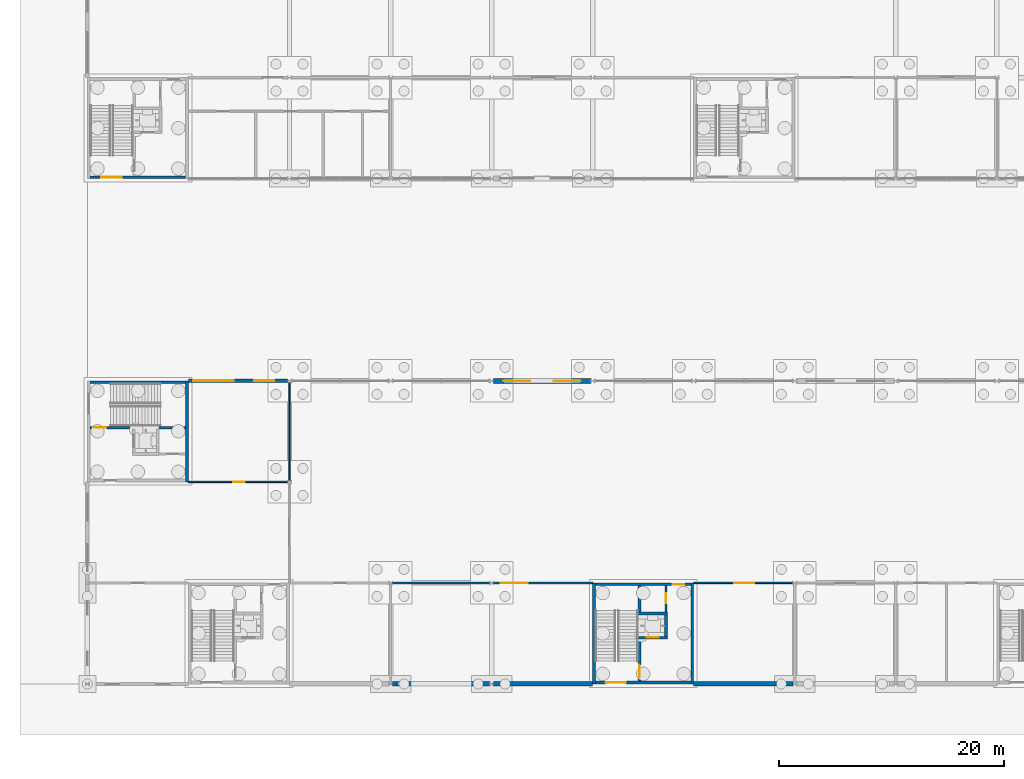
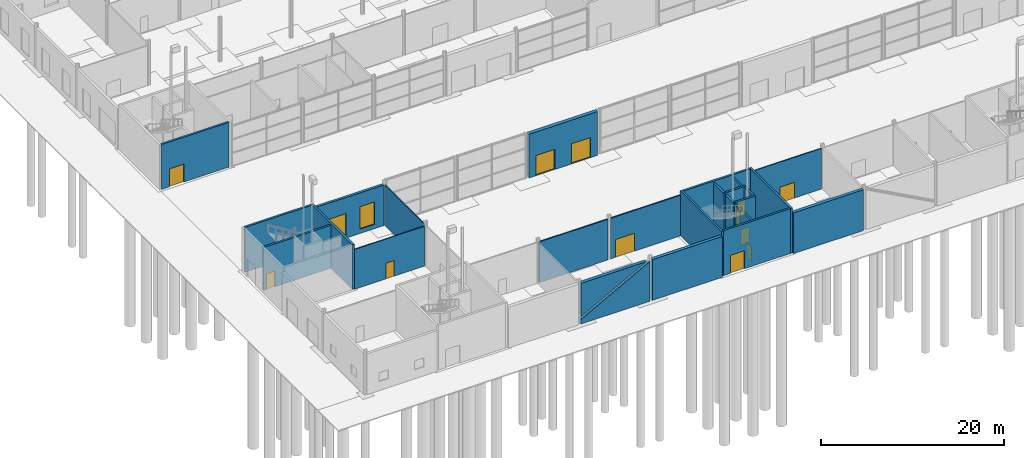
# One storey, part 61 of 97: 24 walls, 12 doors, 2 windows, 14 openings.
"""IFC4 building model written with IfcOpenShell, lengths in metres."""

from ifc_helpers import new_model, si_unit, direction, frame, frame_2d, origin, place, context, subcontext, project, spatial, polyline, rectangle, outline, extrude, material, layer, layer_set, type_object, element, fill, save


model = new_model("IFC4")

# Units and contexts
model_context = context("Model", 3, precision=1e-05, world=origin(), true_north=direction((0.0, 1.0)))
body_context = subcontext(model_context, "Body", "Model", "MODEL_VIEW")
ifc_project = project(units=[si_unit("LENGTHUNIT", "METRE"), si_unit("AREAUNIT", "SQUARE_METRE"), si_unit("VOLUMEUNIT", "CUBIC_METRE"), si_unit("PLANEANGLEUNIT", "RADIAN"), si_unit("MASSUNIT", "GRAM", prefix="KILO")], contexts=[model_context])

# Site, building, storey
site_placement = place(None, origin())
site = spatial("IfcSite", under=ifc_project, at=site_placement, CompositionType="ELEMENT")
building_placement = place(site_placement, origin())
building = spatial("IfcBuilding", under=site, at=building_placement, Name="Corbel Yard City Hall", CompositionType="ELEMENT")
storey_placement = place(building_placement, origin())
storey = spatial("IfcBuildingStorey", under=building, at=storey_placement, Name="L00", CompositionType="ELEMENT", Elevation=0.0)

# Walls
ifc_material_1 = material(Name="Concrete N50 (50 MPa)", Category="concrete")
ifc_layer_1 = layer(ifc_material_1, 0.25)
ifc_layer_set_1 = layer_set([ifc_layer_1], Name="Concrete N50 (50 MPa)")
wall_type_1 = type_object("IfcWallType", Name="Core cell wall 250", PredefinedType="SHEAR", material=ifc_layer_set_1)
for number, where, z_axis, x_axis, name in (
    (1, (45.125, 0.0, 0.0), (0.0, 0.0, 1.0), (0.0, 1.0, 0.0), "Core PC-S1 west wall"),
    (2, (53.875, 0.0, 0.0), (0.0, 0.0, 1.0), (0.0, 1.0, 0.0), "Core PC-S1 east wall"),
):
    element("IfcWall", number, at=place(storey_placement, frame(where, z_axis=z_axis, x_axis=x_axis)), inside=storey, type_object=wall_type_1, Name=name, PredefinedType="SHEAR", context=body_context, shape_type="SweptSolid", body=[
        extrude(rectangle(XDim=9.0, YDim=0.25, at=frame_2d((4.5, 0.0))), origin(), (0.0, 0.0, 1.0), 6.0),
    ])

# Wall, opening, door
wall_1_placement = place(storey_placement, frame((45.25, 0.125, 0.0), z_axis=(0.0, 0.0, 1.0), x_axis=(1.0, 0.0, 0.0)))
wall_1 = element("IfcWall", 3, at=wall_1_placement, inside=storey, type_object=wall_type_1, Name="Core PC-S1 south wall", PredefinedType="SHEAR", context=body_context, shape_type="SweptSolid", body=[
    extrude(rectangle(XDim=8.5, YDim=0.25, at=frame_2d((4.25, 0.0))), origin(), (0.0, 0.0, 1.0), 6.0),
])
opening_1_placement = place(wall_1_placement, frame((0.89990234375, 0.0, 0.0)))
opening_1 = element("IfcOpeningElement", 4, at=opening_1_placement, cuts=wall_1, Name="Opening L00-031", PredefinedType="OPENING", context=body_context, shape_type="SweptSolid", body=[
    extrude(rectangle(XDim=1.800048828125, YDim=2.39990234375, at=frame_2d((0.89990234375, 1.199951171875))), frame((0.0, 0.135009765625, 0.0), z_axis=(0.0, -1.0, 0.0), x_axis=(1.0, 0.0, 0.0)), (0.0, 0.0, 1.0), 0.27001953125),
])
ifc_material_2 = material(Name="Steel Grade G250, insulated infill", Category="steel")
door_type_1 = type_object("IfcDoorType", Name="XD2", OperationType="DOUBLE_DOOR_SINGLE_SWING", PredefinedType="DOOR", material=ifc_material_2)
door_1_placement = place(opening_1_placement, frame((1.800048828125, 0.0, 0.0), z_axis=(0.0, 0.0, 1.0), x_axis=(-1.0, 0.0, 0.0)))
door_1 = element("IfcDoor", 5, at=door_1_placement, inside=storey, type_object=door_type_1, Name="Stair exit door PC-S1", OperationType="DOUBLE_DOOR_SINGLE_SWING", OverallHeight=2.39990234375, OverallWidth=1.800048828125, PredefinedType="DOOR", context=body_context, shape_type="SweptSolid", body=[
    extrude(rectangle(XDim=1.800048828125, YDim=2.39990234375, at=frame_2d((0.89990234375, 1.199951171875))), frame((0.0, 0.02490234375, 0.0), z_axis=(0.0, -1.0, 0.0), x_axis=(1.0, 0.0, 0.0)), (0.0, 0.0, 1.0), 0.050048828125),
])
fill(opening_1, door_1)

wall_2_placement = place(storey_placement, frame((45.25, 8.875, 0.0), z_axis=(0.0, 0.0, 1.0), x_axis=(1.0, 0.0, 0.0)))
wall_2 = element("IfcWall", 6, at=wall_2_placement, inside=storey, type_object=wall_type_1, Name="Core PC-S1 north wall", PredefinedType="SHEAR", context=body_context, shape_type="SweptSolid", body=[
    extrude(rectangle(XDim=8.5, YDim=0.25, at=frame_2d((4.25, 0.0))), origin(), (0.0, 0.0, 1.0), 6.0),
])
opening_2_placement = place(wall_2_placement, frame((6.887451171875, 0.0, 0.0)))
opening_2 = element("IfcOpeningElement", 7, at=opening_2_placement, cuts=wall_2, Name="Opening L00-074", PredefinedType="OPENING", context=body_context, shape_type="SweptSolid", body=[
    extrude(rectangle(XDim=1.0, YDim=2.10009765625, at=frame_2d((0.5, 1.050048828125))), frame((0.0, 0.135009765625, 0.0), z_axis=(0.0, -1.0, 0.0), x_axis=(1.0, 0.0, 0.0)), (0.0, 0.0, 1.0), 0.27001953125),
])
ifc_material_3 = material(Name="Steel Grade G250", Category="steel")
door_type_2 = type_object("IfcDoorType", Name="FS1", OperationType="SINGLE_SWING_LEFT", PredefinedType="DOOR", material=ifc_material_3)
door_2_placement = place(opening_2_placement, frame((1.0, 0.0, 0.0), z_axis=(0.0, 0.0, 1.0), x_axis=(-1.0, 0.0, 0.0)))
door_2 = element("IfcDoor", 8, at=door_2_placement, inside=storey, type_object=door_type_2, Name="Door Lift Lobby", OperationType="SINGLE_SWING_RIGHT", OverallHeight=2.10009765625, OverallWidth=1.0, PredefinedType="DOOR", context=body_context, shape_type="SweptSolid", body=[
    extrude(rectangle(XDim=1.0, YDim=2.10009765625, at=frame_2d((0.5, 1.050048828125))), frame((0.0, 0.02490234375, 0.0), z_axis=(0.0, -1.0, 0.0), x_axis=(1.0, 0.0, 0.0)), (0.0, 0.0, 1.0), 0.050048828125),
])
fill(opening_2, door_2)

# Walls
wall_3_placement = place(storey_placement, frame((8.875, 18.0, 0.0), z_axis=(0.0, 0.0, 1.0), x_axis=(0.0, 1.0, 0.0)))
element("IfcWall", 9, at=wall_3_placement, inside=storey, type_object=wall_type_1, Name="Core PC-S5 east wall", PredefinedType="SHEAR", context=body_context, shape_type="SweptSolid", body=[
    extrude(rectangle(XDim=9.0, YDim=0.25, at=frame_2d((4.5, 0.0))), origin(), (0.0, 0.0, 1.0), 6.0),
])
wall_4_placement = place(storey_placement, frame((0.25, 26.875, 0.0), z_axis=(0.0, 0.0, 1.0), x_axis=(1.0, 0.0, 0.0)))
element("IfcWall", 10, at=wall_4_placement, inside=storey, type_object=wall_type_1, Name="Core PC-S5 north wall", PredefinedType="SHEAR", context=body_context, shape_type="SweptSolid", body=[
    extrude(rectangle(XDim=8.5, YDim=0.25, at=frame_2d((4.25, 0.0))), origin(), (0.0, 0.0, 1.0), 6.0),
])

# Wall, opening, door
wall_5_placement = place(storey_placement, frame((0.25, 45.125, 0.0), z_axis=(0.0, 0.0, 1.0), x_axis=(1.0, 0.0, 0.0)))
wall_5 = element("IfcWall", 11, at=wall_5_placement, inside=storey, type_object=wall_type_1, Name="Core PC-M1 south wall", PredefinedType="SHEAR", context=body_context, shape_type="SweptSolid", body=[
    extrude(rectangle(XDim=8.5, YDim=0.25, at=frame_2d((4.25, 0.0))), origin(), (0.0, 0.0, 1.0), 6.0),
])
opening_3_placement = place(wall_5_placement, frame((1.0, 0.0, 0.0)))
opening_3 = element("IfcOpeningElement", 12, at=opening_3_placement, cuts=wall_5, Name="Opening L00-037", PredefinedType="OPENING", context=body_context, shape_type="SweptSolid", body=[
    extrude(rectangle(XDim=1.800048828125, YDim=2.39990234375, at=frame_2d((0.89990234375, 1.199951171875))), frame((0.0, 0.135009765625, 0.0), z_axis=(0.0, -1.0, 0.0), x_axis=(1.0, 0.0, 0.0)), (0.0, 0.0, 1.0), 0.27001953125),
])
door_3_placement = place(opening_3_placement, frame((1.800048828125, 0.0, 0.0), z_axis=(0.0, 0.0, 1.0), x_axis=(-1.0, 0.0, 0.0)))
door_3 = element("IfcDoor", 13, at=door_3_placement, inside=storey, type_object=door_type_1, Name="Stair exit door PC-M1", OperationType="DOUBLE_DOOR_SINGLE_SWING", OverallHeight=2.39990234375, OverallWidth=1.800048828125, PredefinedType="DOOR", context=body_context, shape_type="SweptSolid", body=[
    extrude(rectangle(XDim=1.800048828125, YDim=2.39990234375, at=frame_2d((0.89990234375, 1.199951171875))), frame((0.0, 0.02490234375, 0.0), z_axis=(0.0, -1.0, 0.0), x_axis=(1.0, 0.0, 0.0)), (0.0, 0.0, 1.0), 0.050048828125),
])
fill(opening_3, door_3)

# Wall, openings, windows
ifc_material_4 = material(Name="Sandstone cladding", Category="masonry")
ifc_layer_2 = layer(ifc_material_4, 0.0400390625)
ifc_material_5 = material(Name="Air cavity", Category="air")
ifc_layer_3 = layer(ifc_material_5, 0.0400390625)
ifc_material_6 = material(Name="Concrete block", Category="concrete")
ifc_layer_4 = layer(ifc_material_6, 0.18994140625)
ifc_material_7 = material(Name="Gypsum plasterboard", Category="gypsum")
ifc_layer_5 = layer(ifc_material_7, 0.030029296875)
ifc_layer_set_2 = layer_set([ifc_layer_2, ifc_layer_3, ifc_layer_4, ifc_layer_5], Name="Concrete block")
wall_type_2 = type_object("IfcWallType", Name="EW1", PredefinedType="SOLIDWALL", material=ifc_layer_set_2)
wall_6_placement = place(storey_placement, frame((9.0, 27.0, 0.0), z_axis=(0.0, 0.0, 1.0), x_axis=(1.0, 0.0, 0.0)))
wall_6 = element("IfcWall", 14, at=wall_6_placement, inside=storey, type_object=wall_type_2, Name="External wall", PredefinedType="SOLIDWALL", context=body_context, shape_type="SweptSolid", body=[
    extrude(rectangle(XDim=8.83642578125, YDim=0.300048828125, at=frame_2d((4.418212890625, 0.0))), origin(), (0.0, 0.0, 1.0), 5.444091796875),
])
opening_4_placement = place(wall_6_placement, frame((0.449951171875, 0.0, 0.300048828125)))
opening_4 = element("IfcOpeningElement", 15, at=opening_4_placement, cuts=wall_6, Name="Opening WN11", PredefinedType="OPENING", context=body_context, shape_type="SweptSolid", body=[
    extrude(rectangle(XDim=3.60009765625, YDim=3.0, at=frame_2d((1.800048828125, 1.5))), frame((0.0, 0.159912109375, 0.0), z_axis=(0.0, -1.0, 0.0), x_axis=(1.0, 0.0, 0.0)), (0.0, 0.0, 1.0), 0.320068359375),
])
opening_5_placement = place(wall_6_placement, frame((5.85009765625, 0.0, 0.60009765625)))
opening_5 = element("IfcOpeningElement", 16, at=opening_5_placement, cuts=wall_6, Name="Opening WN2", PredefinedType="OPENING", context=body_context, shape_type="SweptSolid", body=[
    extrude(rectangle(XDim=1.800048828125, YDim=3.0, at=frame_2d((0.89990234375, 1.5))), frame((0.0, 0.159912109375, 0.0), z_axis=(0.0, -1.0, 0.0), x_axis=(1.0, 0.0, 0.0)), (0.0, 0.0, 1.0), 0.320068359375),
])
ifc_material_8 = material(Name="Aluminium frame, double glazed low-e glass", Category="aluminium")
window_type_1 = type_object("IfcWindowType", Name="WN11", PartitioningType="SINGLE_PANEL", PredefinedType="WINDOW", material=ifc_material_8)
window_1_placement = place(opening_4_placement, origin())
window_1 = element("IfcWindow", 17, at=window_1_placement, inside=storey, type_object=window_type_1, Name="Window WN11 L00", OverallHeight=3.0, OverallWidth=3.60009765625, PartitioningType="SINGLE_PANEL", PredefinedType="WINDOW", context=body_context, shape_type="SweptSolid", body=[
    extrude(rectangle(XDim=3.60009765625, YDim=3.0, at=frame_2d((1.800048828125, 1.5))), frame((0.0, 0.030029296875, 0.0), z_axis=(0.0, -1.0, 0.0), x_axis=(1.0, 0.0, 0.0)), (0.0, 0.0, 1.0), 0.06005859375),
])
fill(opening_4, window_1)
window_type_2 = type_object("IfcWindowType", Name="WN2", PartitioningType="SINGLE_PANEL", PredefinedType="WINDOW", material=ifc_material_8)
window_2_placement = place(opening_5_placement, origin())
window_2 = element("IfcWindow", 18, at=window_2_placement, inside=storey, type_object=window_type_2, Name="Window WN2 L00", OverallHeight=3.0, OverallWidth=1.800048828125, PartitioningType="SINGLE_PANEL", PredefinedType="WINDOW", context=body_context, shape_type="SweptSolid", body=[
    extrude(rectangle(XDim=1.800048828125, YDim=3.0, at=frame_2d((0.89990234375, 1.5))), frame((0.0, 0.030029296875, 0.0), z_axis=(0.0, -1.0, 0.0), x_axis=(1.0, 0.0, 0.0)), (0.0, 0.0, 1.0), 0.06005859375),
])
fill(opening_5, window_2)

# Wall, openings, doors
ifc_layer_6 = layer(ifc_material_4, 0.06005859375)
ifc_layer_7 = layer(ifc_material_5, 0.0400390625)
ifc_material_9 = material(Name="Concrete N40 (40 MPa)", Category="concrete")
ifc_layer_8 = layer(ifc_material_9, 0.25)
ifc_material_10 = material(Name="Mineral wool", Category="insulation")
ifc_layer_9 = layer(ifc_material_10, 0.10009765625)
ifc_layer_set_3 = layer_set([ifc_layer_6, ifc_layer_7, ifc_layer_8, ifc_layer_9], Name="Concrete N40 (40 MPa)")
wall_type_3 = type_object("IfcWallType", Name="EW2", PredefinedType="SOLIDWALL", material=ifc_layer_set_3)
wall_7_placement = place(storey_placement, frame((36.16357421875, 27.0, 0.0), z_axis=(0.0, 0.0, 1.0), x_axis=(1.0, 0.0, 0.0)))
wall_7 = element("IfcWall", 19, at=wall_7_placement, inside=storey, type_object=wall_type_3, Name="Entrance pier wall", PredefinedType="SOLIDWALL", context=body_context, shape_type="SweptSolid", body=[
    extrude(rectangle(XDim=8.6728515625, YDim=0.449951171875, at=frame_2d((4.33642578125, 0.0))), origin(), (0.0, 0.0, 1.0), 5.85009765625),
])
opening_6_placement = place(wall_7_placement, frame((0.886474609375, 0.0, 0.0)))
opening_6 = element("IfcOpeningElement", 20, at=opening_6_placement, cuts=wall_7, Name="Opening L00-001", PredefinedType="OPENING", context=body_context, shape_type="SweptSolid", body=[
    extrude(rectangle(XDim=2.39990234375, YDim=2.699951171875, at=frame_2d((1.199951171875, 1.35009765625))), frame((0.0, 0.23486328125, 0.0), z_axis=(0.0, -1.0, 0.0), x_axis=(1.0, 0.0, 0.0)), (0.0, 0.0, 1.0), 0.469970703125),
])
opening_7_placement = place(wall_7_placement, frame((5.386474609375, 0.0, 0.0)))
opening_7 = element("IfcOpeningElement", 21, at=opening_7_placement, cuts=wall_7, Name="Opening L00-002", PredefinedType="OPENING", context=body_context, shape_type="SweptSolid", body=[
    extrude(rectangle(XDim=2.39990234375, YDim=2.699951171875, at=frame_2d((1.199951171875, 1.35009765625))), frame((0.0, 0.23486328125, 0.0), z_axis=(0.0, -1.0, 0.0), x_axis=(1.0, 0.0, 0.0)), (0.0, 0.0, 1.0), 0.469970703125),
])
ifc_material_11 = material(Name="Aluminium frame, toughened laminated glass", Category="aluminium")
door_type_3 = type_object("IfcDoorType", Name="XD1", OperationType="DOUBLE_DOOR_SINGLE_SWING", PredefinedType="DOOR", material=ifc_material_11)
door_4_placement = place(opening_6_placement, origin())
door_4 = element("IfcDoor", 22, at=door_4_placement, inside=storey, type_object=door_type_3, Name="Public Hall entrance 1 door 1", OperationType="DOUBLE_DOOR_SINGLE_SWING", OverallHeight=2.699951171875, OverallWidth=2.39990234375, PredefinedType="DOOR", context=body_context, shape_type="SweptSolid", body=[
    extrude(rectangle(XDim=2.39990234375, YDim=2.699951171875, at=frame_2d((1.199951171875, 1.35009765625))), frame((0.0, 0.02490234375, 0.0), z_axis=(0.0, -1.0, 0.0), x_axis=(1.0, 0.0, 0.0)), (0.0, 0.0, 1.0), 0.050048828125),
])
fill(opening_6, door_4)
door_5_placement = place(opening_7_placement, origin())
door_5 = element("IfcDoor", 23, at=door_5_placement, inside=storey, type_object=door_type_3, Name="Public Hall entrance 1 door 2", OperationType="DOUBLE_DOOR_SINGLE_SWING", OverallHeight=2.699951171875, OverallWidth=2.39990234375, PredefinedType="DOOR", context=body_context, shape_type="SweptSolid", body=[
    extrude(rectangle(XDim=2.39990234375, YDim=2.699951171875, at=frame_2d((1.199951171875, 1.35009765625))), frame((0.0, 0.02490234375, 0.0), z_axis=(0.0, -1.0, 0.0), x_axis=(1.0, 0.0, 0.0)), (0.0, 0.0, 1.0), 0.050048828125),
])
fill(opening_7, door_5)

# Walls
ifc_layer_10 = layer(ifc_material_7, 0.031982421875)
ifc_layer_11 = layer(ifc_material_5, 0.133056640625)
ifc_layer_12 = layer(ifc_material_6, 0.18994140625)
ifc_material_12 = material(Name="Cement render", Category="render")
ifc_layer_13 = layer(ifc_material_12, 0.0400390625)
ifc_material_13 = material(Name="Acoustic sealant", Category="sealant")
ifc_layer_14 = layer(ifc_material_13, 0.0048828125)
ifc_layer_set_4 = layer_set([ifc_layer_10, ifc_layer_11, ifc_layer_12, ifc_layer_13, ifc_layer_14], Name="Concrete block")
wall_type_4 = type_object("IfcWallType", Name="EW3", PredefinedType="SOLIDWALL", material=ifc_layer_set_4)
wall_8_placement = place(storey_placement, frame((27.157470703125, 0.0, 0.0), z_axis=(0.0, 0.0, 1.0), x_axis=(1.0, 0.0, 0.0)))
element("IfcWall", 24, at=wall_8_placement, inside=storey, type_object=wall_type_4, Name="Acoustic wall", PredefinedType="SOLIDWALL", context=body_context, shape_type="SweptSolid", body=[
    extrude(outline(polyline([(8.68505859375, 0.0), (0.0, 0.0), (0.0, 0.800048828125), (0.074462890625, 0.662353515625), (8.68505859375, 5.322021484375), (8.68505859375, 0.0)])), frame((0.0, 0.199951171875, 0.0), z_axis=(0.0, -1.0, 0.0), x_axis=(1.0, 0.0, 0.0)), (0.0, 0.0, 1.0), 0.39990234375),
])
wall_9_placement = place(storey_placement, frame((27.157470703125, 0.0, 0.0), z_axis=(0.0, 0.0, 1.0), x_axis=(1.0, 0.0, 0.0)))
element("IfcWall", 25, at=wall_9_placement, inside=storey, type_object=wall_type_4, Name="Acoustic wall", PredefinedType="SOLIDWALL", context=body_context, shape_type="SweptSolid", body=[
    extrude(outline(polyline([(0.0, 5.444091796875), (8.252685546875, 5.444091796875), (0.0, 0.97802734375), (0.0, 5.444091796875)])), frame((0.0, 0.199951171875, 0.0), z_axis=(0.0, -1.0, 0.0), x_axis=(1.0, 0.0, 0.0)), (0.0, 0.0, 1.0), 0.39990234375),
])
for number, where, z_axis, x_axis, name in (
    (26, (36.157470703125, 0.0, 0.0), (0.0, 0.0, 1.0), (1.0, 0.0, 0.0), "Acoustic wall"),
    (27, (54.0, 0.0, 0.0), (0.0, 0.0, 1.0), (1.0, 0.0, 0.0), "Acoustic wall"),
):
    element("IfcWall", number, at=place(storey_placement, frame(where, z_axis=z_axis, x_axis=x_axis)), inside=storey, type_object=wall_type_4, Name=name, PredefinedType="SOLIDWALL", context=body_context, shape_type="SweptSolid", body=[
        extrude(rectangle(XDim=8.842529296875, YDim=0.39990234375, at=frame_2d((4.42138671875, 0.0))), origin(), (0.0, 0.0, 1.0), 5.444091796875),
    ])

# Wall, opening, door
ifc_layer_15 = layer(ifc_material_9, 0.25)
ifc_layer_set_5 = layer_set([ifc_layer_15], Name="Concrete N40 (40 MPa)")
wall_type_5 = type_object("IfcWallType", Name="IW2", PredefinedType="SOLIDWALL", material=ifc_layer_set_5)
wall_10_placement = place(storey_placement, frame((49.175048828125, 0.25, 0.0), z_axis=(0.0, 0.0, 1.0), x_axis=(0.0, 1.0, 0.0)))
wall_10 = element("IfcWall", 28, at=wall_10_placement, inside=storey, type_object=wall_type_5, Name="Stair enclosure wall", PredefinedType="SOLIDWALL", context=body_context, shape_type="SweptSolid", body=[
    extrude(rectangle(XDim=8.5, YDim=0.25, at=frame_2d((4.25, 0.0))), origin(), (0.0, 0.0, 1.0), 5.75),
])
opening_8_placement = place(wall_10_placement, frame((0.35009765625, 0.0, 0.0)))
opening_8 = element("IfcOpeningElement", 29, at=opening_8_placement, cuts=wall_10, Name="Opening L00-073", PredefinedType="OPENING", context=body_context, shape_type="SweptSolid", body=[
    extrude(rectangle(XDim=1.10009765625, YDim=2.10009765625, at=frame_2d((0.550048828125, 1.050048828125))), frame((0.0, 0.135009765625, 0.0), z_axis=(0.0, -1.0, 0.0), x_axis=(1.0, 0.0, 0.0)), (0.0, 0.0, 1.0), 0.27001953125),
])
door_type_4 = type_object("IfcDoorType", Name="FS11", OperationType="SINGLE_SWING_LEFT", PredefinedType="DOOR", material=ifc_material_3)
door_6_placement = place(opening_8_placement, origin())
door_6 = element("IfcDoor", 30, at=door_6_placement, inside=storey, type_object=door_type_4, Name="Door Exit Stair 2", OperationType="SINGLE_SWING_LEFT", OverallHeight=2.10009765625, OverallWidth=1.10009765625, PredefinedType="DOOR", context=body_context, shape_type="SweptSolid", body=[
    extrude(rectangle(XDim=1.10009765625, YDim=2.10009765625, at=frame_2d((0.550048828125, 1.050048828125))), frame((0.0, 0.02490234375, 0.0), z_axis=(0.0, -1.0, 0.0), x_axis=(1.0, 0.0, 0.0)), (0.0, 0.0, 1.0), 0.050048828125),
])
fill(opening_8, door_6)

wall_11_placement = place(storey_placement, frame((49.050048828125, 4.125, -1.39990234375), z_axis=(0.0, 0.0, 1.0), x_axis=(1.0, 0.0, 0.0)))
wall_11 = element("IfcWall", 31, at=wall_11_placement, inside=storey, type_object=wall_type_5, Name="Lift LP2 shaft wall", PredefinedType="SOLIDWALL", context=body_context, shape_type="SweptSolid", body=[
    extrude(rectangle(XDim=2.599853515625, YDim=0.25, at=frame_2d((1.2998046875, 0.0))), origin(), (0.0, 0.0, 1.0), 7.39990234375),
])
opening_9_placement = place(wall_11_placement, frame((0.75, 0.0, 1.39990234375)))
opening_9 = element("IfcOpeningElement", 32, at=opening_9_placement, cuts=wall_11, Name="Opening L00-058", PredefinedType="OPENING", context=body_context, shape_type="SweptSolid", body=[
    extrude(rectangle(XDim=1.10009765625, YDim=2.10009765625, at=frame_2d((0.550048828125, 1.050048828125))), frame((0.0, 0.135009765625, 0.0), z_axis=(0.0, -1.0, 0.0), x_axis=(1.0, 0.0, 0.0)), (0.0, 0.0, 1.0), 0.27001953125),
])
ifc_material_14 = material(Name="Stainless steel Grade 316", Category="steel")
door_type_5 = type_object("IfcDoorType", Name="LD1", OperationType="DOUBLE_DOOR_SLIDING", PredefinedType="DOOR", material=ifc_material_14)
door_7_placement = place(opening_9_placement, origin())
door_7 = element("IfcDoor", 33, at=door_7_placement, inside=storey, type_object=door_type_5, Name="Lift LP2 landing door", OperationType="DOUBLE_DOOR_SLIDING", OverallHeight=2.10009765625, OverallWidth=1.10009765625, PredefinedType="DOOR", context=body_context, shape_type="SweptSolid", body=[
    extrude(rectangle(XDim=1.10009765625, YDim=2.10009765625, at=frame_2d((0.550048828125, 1.050048828125))), frame((0.0, 0.02490234375, 0.0), z_axis=(0.0, -1.0, 0.0), x_axis=(1.0, 0.0, 0.0)), (0.0, 0.0, 1.0), 0.050048828125),
])
fill(opening_9, door_7)

# Walls
wall_12_placement = place(storey_placement, frame((49.050048828125, 6.27490234375, -1.39990234375), z_axis=(0.0, 0.0, 1.0), x_axis=(1.0, 0.0, 0.0)))
element("IfcWall", 34, at=wall_12_placement, inside=storey, type_object=wall_type_5, Name="Lift LP2 shaft wall", PredefinedType="SOLIDWALL", context=body_context, shape_type="SweptSolid", body=[
    extrude(rectangle(XDim=2.599853515625, YDim=0.25, at=frame_2d((1.2998046875, 0.0))), origin(), (0.0, 0.0, 1.0), 7.39990234375),
])
wall_13_placement = place(storey_placement, frame((51.52490234375, 4.25, -1.39990234375), z_axis=(0.0, 0.0, 1.0), x_axis=(0.0, 1.0, 0.0)))
element("IfcWall", 35, at=wall_13_placement, inside=storey, type_object=wall_type_5, Name="Lift LP2 shaft wall", PredefinedType="SOLIDWALL", context=body_context, shape_type="SweptSolid", body=[
    extrude(rectangle(XDim=1.89990234375, YDim=0.25, at=frame_2d((0.949951171875, 0.0))), origin(), (0.0, 0.0, 1.0), 7.39990234375),
])

# Wall, opening, door
wall_14_placement = place(storey_placement, frame((0.25, 22.824951171875, 0.0), z_axis=(0.0, 0.0, 1.0), x_axis=(1.0, 0.0, 0.0)))
wall_14 = element("IfcWall", 36, at=wall_14_placement, inside=storey, type_object=wall_type_5, Name="Stair enclosure wall", PredefinedType="SOLIDWALL", context=body_context, shape_type="SweptSolid", body=[
    extrude(rectangle(XDim=8.5, YDim=0.25, at=frame_2d((4.25, 0.0))), origin(), (0.0, 0.0, 1.0), 5.75),
])
opening_10_placement = place(wall_14_placement, frame((0.35009765625, 0.0, 0.0)))
opening_10 = element("IfcOpeningElement", 37, at=opening_10_placement, cuts=wall_14, Name="Opening L00-070", PredefinedType="OPENING", context=body_context, shape_type="SweptSolid", body=[
    extrude(rectangle(XDim=1.10009765625, YDim=2.10009765625, at=frame_2d((0.550048828125, 1.050048828125))), frame((0.0, 0.135009765625, 0.0), z_axis=(0.0, -1.0, 0.0), x_axis=(1.0, 0.0, 0.0)), (0.0, 0.0, 1.0), 0.27001953125),
])
door_8_placement = place(opening_10_placement, origin())
door_8 = element("IfcDoor", 38, at=door_8_placement, inside=storey, type_object=door_type_4, Name="Door Exit Stair 6", OperationType="SINGLE_SWING_LEFT", OverallHeight=2.10009765625, OverallWidth=1.10009765625, PredefinedType="DOOR", context=body_context, shape_type="SweptSolid", body=[
    extrude(rectangle(XDim=1.10009765625, YDim=2.10009765625, at=frame_2d((0.550048828125, 1.050048828125))), frame((0.0, 0.02490234375, 0.0), z_axis=(0.0, -1.0, 0.0), x_axis=(1.0, 0.0, 0.0)), (0.0, 0.0, 1.0), 0.050048828125),
])
fill(opening_10, door_8)

ifc_layer_16 = layer(ifc_material_7, 0.028076171875)
ifc_material_15 = material(Name="Steel Grade G550 (550 MPa yield)", Category="steel")
ifc_layer_17 = layer(ifc_material_15, 0.06396484375)
ifc_layer_18 = layer(ifc_material_7, 0.028076171875)
ifc_layer_set_6 = layer_set([ifc_layer_16, ifc_layer_17, ifc_layer_18], Name="Steel Grade G550 (550 MPa yield)")
wall_type_6 = type_object("IfcWallType", Name="PT1", PredefinedType="PARTITIONING", material=ifc_layer_set_6)
wall_15_placement = place(storey_placement, frame((54.0, 9.0, 0.0), z_axis=(0.0, 0.0, 1.0), x_axis=(1.0, 0.0, 0.0)))
wall_15 = element("IfcWall", 39, at=wall_15_placement, inside=storey, type_object=wall_type_6, Name="Partition", PredefinedType="PARTITIONING", context=body_context, shape_type="SweptSolid", body=[
    extrude(rectangle(XDim=8.83642578125, YDim=0.1201171875, at=frame_2d((4.418212890625, 0.0))), origin(), (0.0, 0.0, 1.0), 5.444091796875),
])
opening_11_placement = place(wall_15_placement, frame((3.60009765625, 0.0, 0.0)))
opening_11 = element("IfcOpeningElement", 40, at=opening_11_placement, cuts=wall_15, Name="Opening L00-087", PredefinedType="OPENING", context=body_context, shape_type="SweptSolid", body=[
    extrude(rectangle(XDim=1.800048828125, YDim=2.10009765625, at=frame_2d((0.89990234375, 1.050048828125))), frame((0.0, 0.070068359375, 0.0), z_axis=(0.0, -1.0, 0.0), x_axis=(1.0, 0.0, 0.0)), (0.0, 0.0, 1.0), 0.14013671875),
])
ifc_material_16 = material(Name="Timber", Category="wood")
door_type_6 = type_object("IfcDoorType", Name="D3", OperationType="DOUBLE_DOOR_SINGLE_SWING", PredefinedType="DOOR", material=ifc_material_16)
door_9_placement = place(opening_11_placement, origin())
door_9 = element("IfcDoor", 41, at=door_9_placement, inside=storey, type_object=door_type_6, Name="Door Women's WC Block", OperationType="DOUBLE_DOOR_SINGLE_SWING", OverallHeight=2.10009765625, OverallWidth=1.800048828125, PredefinedType="DOOR", context=body_context, shape_type="SweptSolid", body=[
    extrude(rectangle(XDim=1.800048828125, YDim=2.10009765625, at=frame_2d((0.89990234375, 1.050048828125))), frame((0.0, 0.02490234375, 0.0), z_axis=(0.0, -1.0, 0.0), x_axis=(1.0, 0.0, 0.0)), (0.0, 0.0, 1.0), 0.050048828125),
])
fill(opening_11, door_9)

wall_16_placement = place(storey_placement, frame((9.0, 18.0, 0.0), z_axis=(0.0, 0.0, 1.0), x_axis=(1.0, 0.0, 0.0)))
wall_16 = element("IfcWall", 42, at=wall_16_placement, inside=storey, type_object=wall_type_6, Name="Partition", PredefinedType="PARTITIONING", context=body_context, shape_type="SweptSolid", body=[
    extrude(rectangle(XDim=8.83642578125, YDim=0.1201171875, at=frame_2d((4.418212890625, 0.0))), origin(), (0.0, 0.0, 1.0), 5.322021484375),
])
opening_12_placement = place(wall_16_placement, frame((4.0, 0.0, 0.0)))
opening_12 = element("IfcOpeningElement", 43, at=opening_12_placement, cuts=wall_16, Name="Opening L00-066", PredefinedType="OPENING", context=body_context, shape_type="SweptSolid", body=[
    extrude(rectangle(XDim=1.0, YDim=2.10009765625, at=frame_2d((0.5, 1.050048828125))), frame((0.0, 0.070068359375, 0.0), z_axis=(0.0, -1.0, 0.0), x_axis=(1.0, 0.0, 0.0)), (0.0, 0.0, 1.0), 0.14013671875),
])
door_type_7 = type_object("IfcDoorType", Name="D1", OperationType="SINGLE_SWING_LEFT", PredefinedType="DOOR", material=ifc_material_16)
door_10_placement = place(opening_12_placement, origin())
door_10 = element("IfcDoor", 44, at=door_10_placement, inside=storey, type_object=door_type_7, Name="Door Information Hall", OperationType="SINGLE_SWING_RIGHT", OverallHeight=2.10009765625, OverallWidth=1.0, PredefinedType="DOOR", context=body_context, shape_type="SweptSolid", body=[
    extrude(rectangle(XDim=1.0, YDim=2.10009765625, at=frame_2d((0.5, 1.050048828125))), frame((0.0, 0.02490234375, 0.0), z_axis=(0.0, -1.0, 0.0), x_axis=(1.0, 0.0, 0.0)), (0.0, 0.0, 1.0), 0.050048828125),
])
fill(opening_12, door_10)

# Walls
wall_17_placement = place(storey_placement, frame((18.0, 18.16357421875, 0.0), z_axis=(0.0, 0.0, 1.0), x_axis=(0.0, 1.0, 0.0)))
element("IfcWall", 45, at=wall_17_placement, inside=storey, type_object=wall_type_6, Name="Partition", PredefinedType="PARTITIONING", context=body_context, shape_type="SweptSolid", body=[
    extrude(rectangle(XDim=8.6728515625, YDim=0.1201171875, at=frame_2d((4.33642578125, 0.0))), origin(), (0.0, 0.0, 1.0), 5.444091796875),
])
ifc_layer_19 = layer(ifc_material_7, 0.031982421875)
ifc_layer_20 = layer(ifc_material_15, 0.095947265625)
ifc_layer_21 = layer(ifc_material_7, 0.031982421875)
ifc_layer_set_7 = layer_set([ifc_layer_19, ifc_layer_20, ifc_layer_21], Name="Steel Grade G550 (550 MPa yield)")
wall_type_7 = type_object("IfcWallType", Name="PT3", PredefinedType="PARTITIONING", material=ifc_layer_set_7)
wall_18_placement = place(storey_placement, frame((27.16357421875, 9.0, 0.0), z_axis=(0.0, 0.0, 1.0), x_axis=(1.0, 0.0, 0.0)))
element("IfcWall", 46, at=wall_18_placement, inside=storey, type_object=wall_type_7, Name="Fire-resisting wall", PredefinedType="PARTITIONING", context=body_context, shape_type="SweptSolid", body=[
    extrude(rectangle(XDim=8.6728515625, YDim=0.159912109375, at=frame_2d((4.33642578125, 0.0))), origin(), (0.0, 0.0, 1.0), 5.444091796875),
])

# Wall, opening, door
wall_19_placement = place(storey_placement, frame((36.16357421875, 9.0, 0.0), z_axis=(0.0, 0.0, 1.0), x_axis=(1.0, 0.0, 0.0)))
wall_19 = element("IfcWall", 47, at=wall_19_placement, inside=storey, type_object=wall_type_7, Name="Fire-resisting wall", PredefinedType="PARTITIONING", context=body_context, shape_type="SweptSolid", body=[
    extrude(rectangle(XDim=8.83642578125, YDim=0.159912109375, at=frame_2d((4.418212890625, 0.0))), origin(), (0.0, 0.0, 1.0), 5.444091796875),
])
opening_13_placement = place(wall_19_placement, frame((0.636474609375, 0.0, 0.0)))
opening_13 = element("IfcOpeningElement", 48, at=opening_13_placement, cuts=wall_19, Name="Opening L00-086", PredefinedType="OPENING", context=body_context, shape_type="SweptSolid", body=[
    extrude(rectangle(XDim=2.39990234375, YDim=2.39990234375, at=frame_2d((1.199951171875, 1.199951171875))), frame((0.0, 0.08984375, 0.0), z_axis=(0.0, -1.0, 0.0), x_axis=(1.0, 0.0, 0.0)), (0.0, 0.0, 1.0), 0.179931640625),
])
door_type_8 = type_object("IfcDoorType", Name="FD9", OperationType="DOUBLE_DOOR_SINGLE_SWING", PredefinedType="DOOR", material=ifc_material_3)
door_11_placement = place(opening_13_placement, origin())
door_11 = element("IfcDoor", 49, at=door_11_placement, inside=storey, type_object=door_type_8, Name="Door Hall Furniture Store", OperationType="DOUBLE_DOOR_SINGLE_SWING", OverallHeight=2.39990234375, OverallWidth=2.39990234375, PredefinedType="DOOR", context=body_context, shape_type="SweptSolid", body=[
    extrude(rectangle(XDim=2.39990234375, YDim=2.39990234375, at=frame_2d((1.199951171875, 1.199951171875))), frame((0.0, 0.02490234375, 0.0), z_axis=(0.0, -1.0, 0.0), x_axis=(1.0, 0.0, 0.0)), (0.0, 0.0, 1.0), 0.050048828125),
])
fill(opening_13, door_11)

ifc_material_17 = material(Name="Concrete block", Category="concrete")
ifc_layer_22 = layer(ifc_material_17, 0.18994140625)
ifc_layer_set_8 = layer_set([ifc_layer_22], Name="Concrete block")
wall_type_8 = type_object("IfcWallType", Name="PT4", PredefinedType="PARTITIONING", material=ifc_layer_set_8)
wall_20_placement = place(storey_placement, frame((51.52490234375, 6.39990234375, 0.0), z_axis=(0.0, 0.0, 1.0), x_axis=(0.0, 1.0, 0.0)))
wall_20 = element("IfcWall", 50, at=wall_20_placement, inside=storey, type_object=wall_type_8, Name="Fire-resisting block wall", PredefinedType="PARTITIONING", context=body_context, shape_type="SweptSolid", body=[
    extrude(rectangle(XDim=2.35009765625, YDim=0.18994140625, at=frame_2d((1.175048828125, 0.0))), origin(), (0.0, 0.0, 1.0), 5.75),
])
opening_14_placement = place(wall_20_placement, frame((0.777587890625, 0.0, 0.0)))
opening_14 = element("IfcOpeningElement", 51, at=opening_14_placement, cuts=wall_20, Name="Opening L00-075", PredefinedType="OPENING", context=body_context, shape_type="SweptSolid", body=[
    extrude(rectangle(XDim=0.919921875, YDim=2.10009765625, at=frame_2d((0.4599609375, 1.050048828125))), frame((0.0, 0.10498046875, 0.0), z_axis=(0.0, -1.0, 0.0), x_axis=(1.0, 0.0, 0.0)), (0.0, 0.0, 1.0), 0.2099609375),
])
door_type_9 = type_object("IfcDoorType", Name="FS5", OperationType="SINGLE_SWING_RIGHT", PredefinedType="DOOR", material=ifc_material_3)
door_12_placement = place(opening_14_placement, origin())
door_12 = element("IfcDoor", 52, at=door_12_placement, inside=storey, type_object=door_type_9, Name="Door Service Riser", OperationType="SINGLE_SWING_RIGHT", OverallHeight=2.10009765625, OverallWidth=0.919921875, PredefinedType="DOOR", context=body_context, shape_type="SweptSolid", body=[
    extrude(rectangle(XDim=0.919921875, YDim=2.10009765625, at=frame_2d((0.4599609375, 1.050048828125))), frame((0.0, 0.02490234375, 0.0), z_axis=(0.0, -1.0, 0.0), x_axis=(1.0, 0.0, 0.0)), (0.0, 0.0, 1.0), 0.050048828125),
])
fill(opening_14, door_12)

save(model, "model.ifc")
